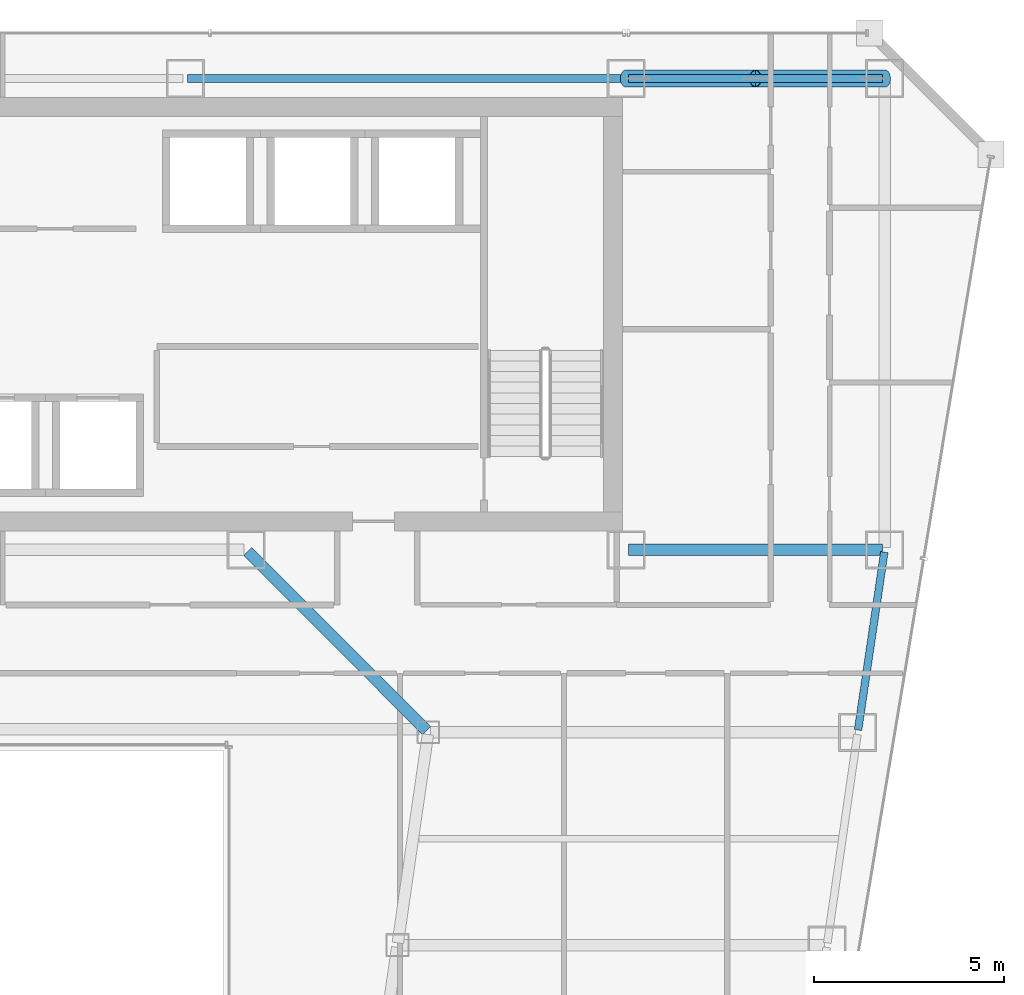
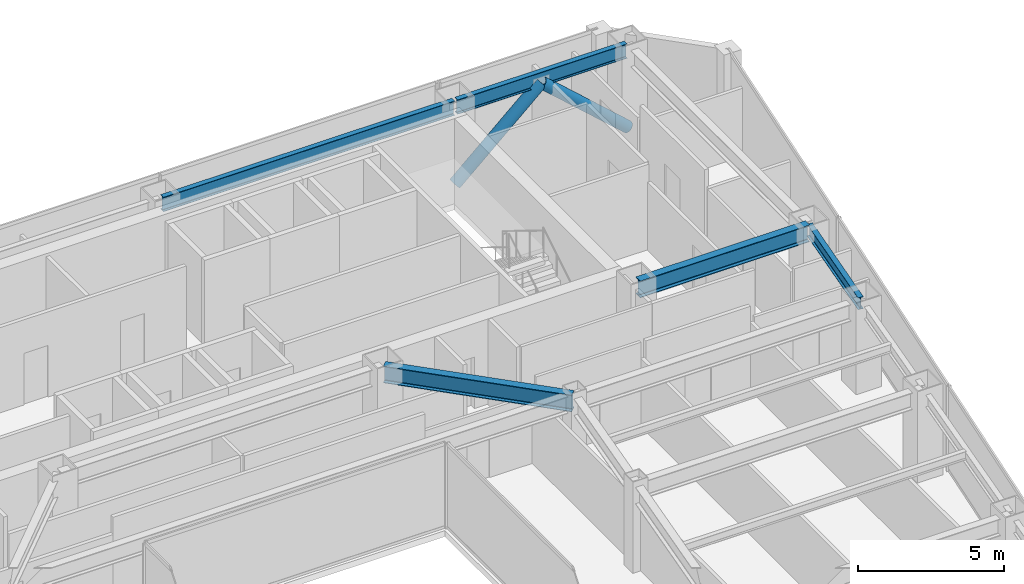
# One storey, part 25 of 36: 5 beams, 2 members.
"""IFC4 building model written with IfcOpenShell, lengths in metres."""

import ifcopenshell
import ifcopenshell.guid

model = None  # the IFC model being written
_history = None  # IfcOwnerHistory: only IFC2X3 demands one
_inside = {}  # id of a spatial element -> (the spatial element, [elements in it])
_under = {}  # id of a project, library or spatial element -> (it, [spatial elements below it])
_declared = {}  # id of a project -> (the project, [libraries it declares])
_typed = {}  # id of a type object -> (the type object, [elements of that type])
_made_of = {}  # id of a material, layer set ... -> (it, [elements and type objects made of it])


def new_model(schema):
    """Start an empty IFC model of exactly this schema.

    Asked for "IFC4X3", IfcOpenShell would pick the latest addendum, in which some entities
    have other attributes; the version numbers below select the first issue.
    IFC2X3 requires an IfcOwnerHistory on every rooted entity: one is made here for all.
    """
    global model, _history
    if schema == "IFC4X3":
        model = ifcopenshell.file(schema_version=(4, 3, 0, 0))
    else:
        model = ifcopenshell.file(schema=schema)
    _inside.clear()
    _under.clear()
    _declared.clear()
    _typed.clear()
    _made_of.clear()
    _history = None
    if model.schema == "IFC2X3":
        org = make("IfcOrganization", Name="unknown")
        user = make(
            "IfcPersonAndOrganization",
            ThePerson=make("IfcPerson", FamilyName="unknown"),
            TheOrganization=org,
        )
        app = make(
            "IfcApplication",
            ApplicationDeveloper=org,
            Version="unknown",
            ApplicationFullName="unknown",
            ApplicationIdentifier="unknown",
        )
        _history = make(
            "IfcOwnerHistory",
            OwningUser=user,
            OwningApplication=app,
            ChangeAction="ADDED",
            CreationDate=0,
        )
    return model


def make(cls, **values):
    """One entity of the class cls with the attributes given. An attribute that is None is left unset."""
    return model.create_entity(
        cls, **{name: value for name, value in values.items() if value is not None}
    )


def rooted(cls, **values):
    """An entity with a GlobalId (a new one), such as an element, a storey or a relation."""
    return make(cls, GlobalId=ifcopenshell.guid.new(), OwnerHistory=_history, **values)


def si_unit(unit_type, name, prefix=None):
    """IfcSIUnit, for example si_unit("LENGTHUNIT", "METRE", prefix="MILLI")."""
    return make("IfcSIUnit", UnitType=unit_type, Prefix=prefix, Name=name)


def assignment(units):
    """IfcUnitAssignment: the units of a project."""
    return None if units is None else make("IfcUnitAssignment", Units=units)


def point(xyz):
    """IfcCartesianPoint."""
    return None if xyz is None else make("IfcCartesianPoint", Coordinates=xyz)


def direction(xyz):
    """IfcDirection."""
    return None if xyz is None else make("IfcDirection", DirectionRatios=xyz)


def frame(location, z_axis=None, x_axis=None):
    """IfcAxis2Placement3D, a coordinate frame: its origin and axes. An axis left out is left unset."""
    return make(
        "IfcAxis2Placement3D",
        Location=point(location),
        Axis=direction(z_axis),
        RefDirection=direction(x_axis),
    )


def frame_2d(location, x_axis=None):
    """IfcAxis2Placement2D, a coordinate frame in the plane: its origin and x axis."""
    return make(
        "IfcAxis2Placement2D", Location=point(location), RefDirection=direction(x_axis)
    )


def origin():
    """The frame at (0, 0, 0) with its axes left unset."""
    return frame((0.0, 0.0, 0.0))


def origin_2d():
    """The frame at (0, 0) in the plane with its x axis left unset."""
    return frame_2d((0.0, 0.0))


def place(relative_to, where):
    """IfcLocalPlacement: puts the frame where relative to a parent placement (None: the world)."""
    return make(
        "IfcLocalPlacement", PlacementRelTo=relative_to, RelativePlacement=where
    )


def context(
    kind, dimensions, precision=None, world=None, true_north=None, identifier=None
):
    """IfcGeometricRepresentationContext, for example the 3D "Model" context."""
    return make(
        "IfcGeometricRepresentationContext",
        ContextIdentifier=identifier,
        ContextType=kind,
        CoordinateSpaceDimension=dimensions,
        Precision=precision,
        WorldCoordinateSystem=world,
        TrueNorth=true_north,
    )


def subcontext(parent, identifier, kind, view, scale=None):
    """IfcGeometricRepresentationSubContext, for example "Body" below "Model"."""
    return make(
        "IfcGeometricRepresentationSubContext",
        ContextIdentifier=identifier,
        ContextType=kind,
        ParentContext=parent,
        TargetScale=scale,
        TargetView=view,
    )


def project(units=None, contexts=None):
    """IfcProject with its units and contexts."""
    return rooted(
        "IfcProject",
        Name="project",
        RepresentationContexts=contexts,
        UnitsInContext=assignment(units),
    )


def spatial(cls, under=None, at=None, **own):
    """A site, building, storey or space (cls), placed at a placement, below another one or the project."""
    s = rooted(cls, ObjectPlacement=at, **own)
    if under is not None:
        _under.setdefault(under.id(), (under, []))[1].append(s)
    return s


def profile(cls, at=None, kind="AREA", **sizes):
    """A parametric profile (cls). Its sizes go by their IFC names, for example OverallWidth=200.0."""
    return make(cls, ProfileType=kind, Position=at, **sizes)


def hollow_circle(**sizes):
    """IfcCircleHollowProfileDef."""
    return profile("IfcCircleHollowProfileDef", **sizes)


def i_section(**sizes):
    """IfcIShapeProfileDef."""
    return profile("IfcIShapeProfileDef", **sizes)


def extrude(swept, where, along, depth):
    """IfcExtrudedAreaSolid: the profile swept, set in the frame where, extruded along a direction by depth."""
    return make(
        "IfcExtrudedAreaSolid",
        SweptArea=swept,
        Position=where,
        ExtrudedDirection=direction(along),
        Depth=depth,
    )


def shape(context_of_items, identifier, shape_type, items):
    """IfcShapeRepresentation: the items that make up one representation, for example the "Body"."""
    return make(
        "IfcShapeRepresentation",
        ContextOfItems=context_of_items,
        RepresentationIdentifier=identifier,
        RepresentationType=shape_type,
        Items=items,
    )


def material(Name=None, Category=None):
    """IfcMaterial."""
    return make("IfcMaterial", Name=Name, Category=Category)


def material_profile(
    of_material, cross_section, Name=None, Category=None, Priority=None
):
    """IfcMaterialProfile: a cross section and its material."""
    return make(
        "IfcMaterialProfile",
        Name=Name,
        Material=of_material,
        Profile=cross_section,
        Priority=Priority,
        Category=Category,
    )


def profile_set(profiles, Name=None, composite=None):
    """IfcMaterialProfileSet."""
    return make(
        "IfcMaterialProfileSet",
        Name=Name,
        MaterialProfiles=profiles,
        CompositeProfile=composite,
    )


def made_of(thing, what):
    """Note that an element or type object is made of a material, layer set ...; save() writes the relation."""
    if what is not None:
        _made_of.setdefault(what.id(), (what, []))[1].append(thing)
    return thing


def type_object(cls, material=None, **own):
    """A type object (cls), such as IfcWallType, which elements share."""
    return made_of(rooted(cls, **own), material)


def element(
    cls,
    number,
    at=None,
    inside=None,
    cuts=None,
    type_object=None,
    material=None,
    context=None,
    identifier="Body",
    shape_type=None,
    held_by="IfcProductDefinitionShape",
    body=None,
    shapes=None,
    **own,
):
    """One element of the class cls, such as IfcWall. Its Tag is "e" and its number.

    at: its placement. inside: the storey or other place that contains it. cuts: it is an
    opening in that element (IfcRelVoidsElement). A single representation is given by context,
    identifier, shape_type and body (its items); several are given by shapes. held_by: the class
    of the entity that holds the representations. save() writes the other relations.
    """
    e = rooted(cls, Tag="e%d" % number, ObjectPlacement=at, **own)
    if body is not None:
        shapes = [shape(context, identifier, shape_type, body)]
    if shapes is not None:
        e.Representation = make(held_by, Representations=shapes)
    if inside is not None:
        _inside.setdefault(inside.id(), (inside, []))[1].append(e)
    if cuts is not None:
        rooted(
            "IfcRelVoidsElement", RelatingBuildingElement=cuts, RelatedOpeningElement=e
        )
    if type_object is not None:
        _typed.setdefault(type_object.id(), (type_object, []))[1].append(e)
    return made_of(e, material)


def aggregate(whole, parts):
    """IfcRelAggregates: a whole, such as a stair, and the parts it consists of."""
    return rooted("IfcRelAggregates", RelatingObject=whole, RelatedObjects=parts)


def save(model, path):
    """Write the relations noted so far, then the file.

    IfcRelAggregates (storeys below a building ...), IfcRelContainedInSpatialStructure (elements
    in a storey), IfcRelDefinesByType, IfcRelAssociatesMaterial and IfcRelDeclares: one each for
    every whole, place, type object, material and project.
    """
    for whole, parts in _under.values():
        aggregate(whole, parts)
    for where, things in _inside.values():
        rooted(
            "IfcRelContainedInSpatialStructure",
            RelatedElements=things,
            RelatingStructure=where,
        )
    for kind, things in _typed.values():
        rooted("IfcRelDefinesByType", RelatedObjects=things, RelatingType=kind)
    for what, things in _made_of.values():
        rooted("IfcRelAssociatesMaterial", RelatedObjects=things, RelatingMaterial=what)
    for by, libraries in _declared.values():
        rooted("IfcRelDeclares", RelatingContext=by, RelatedDefinitions=libraries)
    model.write(path)


model = new_model("IFC4")

# Units and contexts
model_context = context("Model", 3, precision=1e-05, world=origin(), true_north=direction((0.0, 1.0)))
body_context = subcontext(model_context, "Body", "Model", "MODEL_VIEW")
ifc_project = project(units=[si_unit("LENGTHUNIT", "METRE"), si_unit("AREAUNIT", "SQUARE_METRE"), si_unit("VOLUMEUNIT", "CUBIC_METRE"), si_unit("PLANEANGLEUNIT", "RADIAN"), si_unit("MASSUNIT", "GRAM", prefix="KILO")], contexts=[model_context])

# Site, building, storey
site_placement = place(None, origin())
site = spatial("IfcSite", under=ifc_project, at=site_placement, CompositionType="ELEMENT")
building_placement = place(site_placement, origin())
building = spatial("IfcBuilding", under=site, at=building_placement, Name="Saevonmaru Cultural Tower", CompositionType="ELEMENT")
storey_placement = place(building_placement, frame((0.0, 0.0, 148.60009765625)))
storey = spatial("IfcBuildingStorey", under=building, at=storey_placement, Name="L32", CompositionType="ELEMENT", Elevation=148.60009765625)

# Beams
ifc_material_1 = material(Name="Steel SM355", Category="steel")
ifc_material_profile_1 = material_profile(ifc_material_1, i_section(OverallWidth=0.300048828125, OverallDepth=0.699951171875, WebThickness=0.012939453125, FlangeThickness=0.02392578125, FilletRadius=0.02587890625, at=origin_2d()), Name="H-700x300x13x24")
ifc_profile_set_1 = profile_set([ifc_material_profile_1], Name="Steel SM355")
beam_type_1 = type_object("IfcBeamType", Name="BM-G-H700", PredefinedType="BEAM", material=ifc_profile_set_1)
beam_1_placement = place(storey_placement, frame((46.4599609375, 42.39990234375, 3.199951171875), z_axis=(1.0, 0.0, 0.0), x_axis=(0.0, 1.0, 0.0)))
element("IfcBeam", 1, at=beam_1_placement, inside=storey, type_object=beam_type_1, Name="L32 Core South Girder 5", PredefinedType="BEAM", context=body_context, shape_type="SweptSolid", body=[
    extrude(i_section(OverallWidth=0.300048828125, OverallDepth=0.699951171875, WebThickness=0.012939453125, FlangeThickness=0.02392578125, FilletRadius=0.02587890625, at=origin_2d()), origin(), (0.0, 0.0, 1.0), 6.679931640625),
])
beam_2_placement = place(storey_placement, frame((41.149658203125, 37.642578125, 3.199951171875), z_axis=(-0.706538566564, 0.707674539572, 0.0), x_axis=(-0.707674539572, -0.706538566564, 0.0)))
element("IfcBeam", 2, at=beam_2_placement, inside=storey, type_object=beam_type_1, Name="L32 East Atrium Girder 5", PredefinedType="BEAM", context=body_context, shape_type="SweptSolid", body=[
    extrude(i_section(OverallWidth=0.300048828125, OverallDepth=0.699951171875, WebThickness=0.012939453125, FlangeThickness=0.02392578125, FilletRadius=0.02587890625, at=origin_2d()), origin(), (0.0, 0.0, 1.0), 6.662353515625),
])
ifc_material_profile_2 = material_profile(ifc_material_1, i_section(OverallWidth=0.199951171875, OverallDepth=0.5, WebThickness=0.010009765625, FlangeThickness=0.01611328125, FilletRadius=0.02001953125, at=origin_2d()), Name="H-500x200x10x16")
ifc_profile_set_2 = profile_set([ifc_material_profile_2], Name="Steel SM355")
beam_type_2 = type_object("IfcBeamType", Name="BM-SP-H500", PredefinedType="SPANDREL", material=ifc_profile_set_2)
beam_3_placement = place(storey_placement, frame((52.500732421875, 37.659423828125, 3.2998046875), z_axis=(0.145912860028, 0.989297446312, 0.0), x_axis=(-0.989297446312, 0.145912860028, 0.0)))
element("IfcBeam", 3, at=beam_3_placement, inside=storey, type_object=beam_type_2, Name="L32 East Splayed Spandrel 5", PredefinedType="SPANDREL", context=body_context, shape_type="SweptSolid", body=[
    extrude(i_section(OverallWidth=0.199951171875, OverallDepth=0.5, WebThickness=0.010009765625, FlangeThickness=0.01611328125, FilletRadius=0.02001953125, at=origin_2d()), origin(), (0.0, 0.0, 1.0), 4.731689453125),
])
ifc_material_profile_3 = material_profile(ifc_material_1, i_section(OverallWidth=0.199951171875, OverallDepth=0.60009765625, WebThickness=0.010986328125, FlangeThickness=0.01708984375, FilletRadius=0.02197265625, at=origin_2d()), Name="H-600x200x11x17")
ifc_profile_set_3 = profile_set([ifc_material_profile_3], Name="Steel SM355")
beam_type_3 = type_object("IfcBeamType", Name="BM-SP-H600", PredefinedType="SPANDREL", material=ifc_profile_set_3)
beam_4_placement = place(storey_placement, frame((34.860107421875, 54.800048828125, 3.25), z_axis=(1.0, 0.0, 0.0), x_axis=(0.0, 1.0, 0.0)))
element("IfcBeam", 4, at=beam_4_placement, inside=storey, type_object=beam_type_3, Name="L32 North Spine Girder 4", PredefinedType="SPANDREL", context=body_context, shape_type="SweptSolid", body=[
    extrude(i_section(OverallWidth=0.199951171875, OverallDepth=0.60009765625, WebThickness=0.010986328125, FlangeThickness=0.01708984375, FilletRadius=0.02197265625, at=origin_2d()), origin(), (0.0, 0.0, 1.0), 11.47998046875),
])
beam_5_placement = place(storey_placement, frame((46.4599609375, 54.800048828125, 3.25), z_axis=(1.0, 0.0, 0.0), x_axis=(0.0, 1.0, 0.0)))
element("IfcBeam", 5, at=beam_5_placement, inside=storey, type_object=beam_type_3, Name="L32 North Spine Girder 5", PredefinedType="SPANDREL", context=body_context, shape_type="SweptSolid", body=[
    extrude(i_section(OverallWidth=0.199951171875, OverallDepth=0.60009765625, WebThickness=0.010986328125, FlangeThickness=0.01708984375, FilletRadius=0.02197265625, at=origin_2d()), origin(), (0.0, 0.0, 1.0), 6.679931640625),
])

# Members
ifc_material_2 = material(Name="Steel SM420", Category="steel")
ifc_material_profile_4 = material_profile(ifc_material_2, hollow_circle(Radius=0.228515625, WallThickness=0.02001953125, at=origin_2d()), Name="CHS-457.2x20")
ifc_profile_set_4 = profile_set([ifc_material_profile_4], Name="Steel SM420")
member_type = type_object("IfcMemberType", Name="MB-PBR-CHS457", PredefinedType="BRACE", material=ifc_profile_set_4)
member_1_placement = place(storey_placement, frame((46.39990234375, 54.800048828125, 0.02001953125), z_axis=(0.744417347397, 0.0, 0.66771461935), x_axis=(0.0, 1.0, 0.0)))
element("IfcMember", 6, at=member_1_placement, inside=storey, type_object=member_type, Name="L32 Perimeter Braced-Tube Diagonal EN1", PredefinedType="BRACE", context=body_context, shape_type="SweptSolid", body=[
    extrude(hollow_circle(Radius=0.228515625, WallThickness=0.02001953125, at=origin_2d()), origin(), (0.0, 0.0, 1.0), 4.567626953125),
])
member_2_placement = place(storey_placement, frame((53.199951171875, 54.800048828125, 0.02001953125), z_axis=(-0.744393515062, 0.0, 0.667741188436), x_axis=(0.0, -1.0, 0.0)))
element("IfcMember", 7, at=member_2_placement, inside=storey, type_object=member_type, Name="L32 Perimeter Braced-Tube Diagonal EN2", PredefinedType="BRACE", context=body_context, shape_type="SweptSolid", body=[
    extrude(hollow_circle(Radius=0.228515625, WallThickness=0.02001953125, at=origin_2d()), origin(), (0.0, 0.0, 1.0), 4.5673828125),
])

save(model, "model.ifc")
